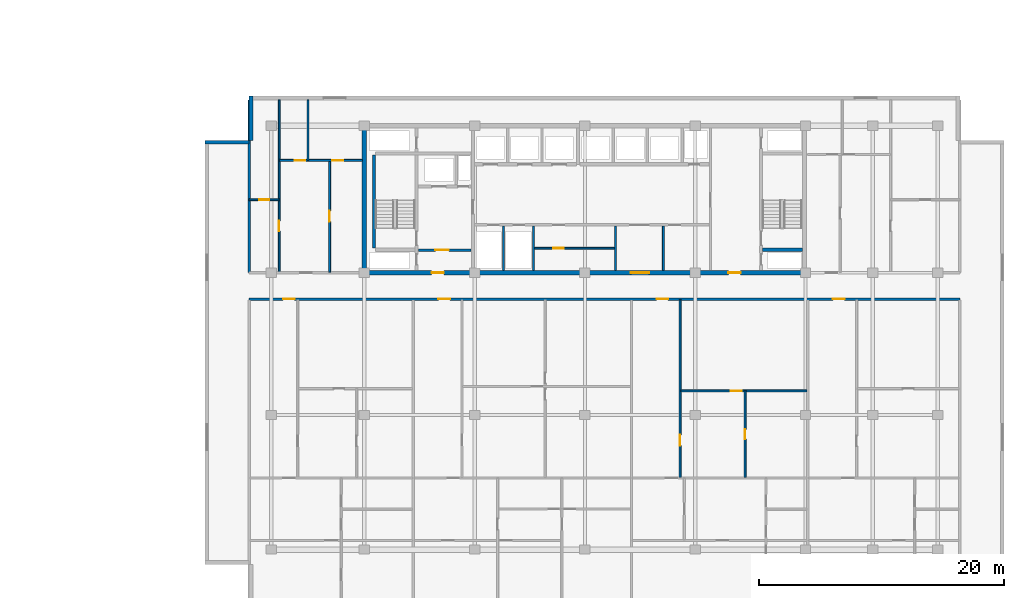
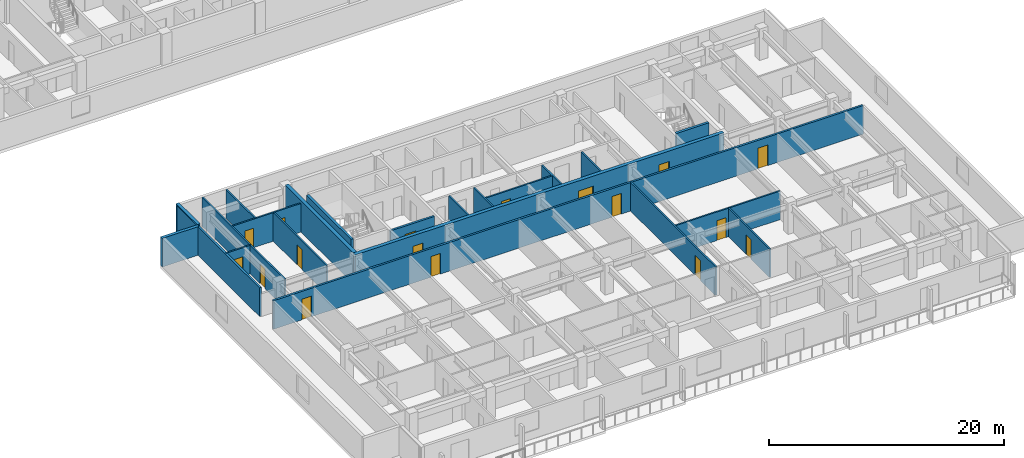
# One storey, part 6 of 22: 22 walls, 17 doors, 17 openings.
"""IFC4 building model written with IfcOpenShell, lengths in metres."""

from ifc_helpers import new_model, si_unit, direction, frame, frame_2d, origin, place, context, subcontext, project, spatial, rectangle, extrude, material, layer, layer_set, type_object, element, fill, save


model = new_model("IFC4")

# Units and contexts
model_context = context("Model", 3, precision=1e-05, world=origin(), true_north=direction((0.0, 1.0)))
body_context = subcontext(model_context, "Body", "Model", "MODEL_VIEW")
ifc_project = project(units=[si_unit("LENGTHUNIT", "METRE"), si_unit("AREAUNIT", "SQUARE_METRE"), si_unit("VOLUMEUNIT", "CUBIC_METRE"), si_unit("PLANEANGLEUNIT", "RADIAN"), si_unit("MASSUNIT", "GRAM", prefix="KILO")], contexts=[model_context])

# Site, building, storey
site_placement = place(None, origin())
site = spatial("IfcSite", under=ifc_project, at=site_placement, CompositionType="ELEMENT")
building_placement = place(site_placement, origin())
building = spatial("IfcBuilding", under=site, at=building_placement, Name="Korimba Cascade Residences", CompositionType="ELEMENT")
storey_placement = place(building_placement, frame((0.0, 0.0, 80.800048828125)))
storey = spatial("IfcBuildingStorey", under=building, at=storey_placement, Name="L22", CompositionType="ELEMENT", Elevation=80.800048828125)

# Walls
ifc_material_1 = material(Name="Precast concrete C40/50", Category="concrete")
ifc_layer_1 = layer(ifc_material_1, 0.300048828125)
ifc_layer_set_1 = layer_set([ifc_layer_1], Name="Precast concrete C40/50")
wall_type_1 = type_object("IfcWallType", Name="EW-STONE-300", PredefinedType="STANDARD", material=ifc_layer_set_1)
wall_1_placement = place(storey_placement, frame((72.85009765625, 32.800048828125, 0.0), z_axis=(0.0, 0.0, 1.0), x_axis=(0.0, -1.0, 0.0)))
element("IfcWall", 1, at=wall_1_placement, inside=storey, type_object=wall_type_1, Name="L22 T2 Perimeter Stone Wall E07", PredefinedType="STANDARD", context=body_context, shape_type="SweptSolid", body=[
    extrude(rectangle(XDim=3.60009765625, YDim=0.300048828125, at=frame_2d((1.800048828125, 0.0))), origin(), (0.0, 0.0, 1.0), 2.969970703125),
])
wall_2_placement = place(storey_placement, frame((72.699951171875, 29.050048828125, 0.0), z_axis=(0.0, 0.0, 1.0), x_axis=(-1.0, 0.0, 0.0)))
element("IfcWall", 2, at=wall_2_placement, inside=storey, type_object=wall_type_1, Name="L22 T2 Perimeter Stone Wall E08", PredefinedType="STANDARD", context=body_context, shape_type="SweptSolid", body=[
    extrude(rectangle(XDim=3.599853515625, YDim=0.300048828125, at=frame_2d((1.7998046875, 0.0))), origin(), (0.0, 0.0, 1.0), 2.969970703125),
])
ifc_material_2 = material(Name="Concrete C65/80", Category="concrete")
ifc_layer_2 = layer(ifc_material_2, 0.35009765625)
ifc_layer_set_2 = layer_set([ifc_layer_2], Name="Concrete C65/80")
wall_type_2 = type_object("IfcWallType", Name="WAL-CORE-350", PredefinedType="SHEAR", material=ifc_layer_set_2)
wall_3_placement = place(storey_placement, frame((82.10009765625, 18.574951171875, 0.0), z_axis=(0.0, 0.0, 1.0), x_axis=(0.0, 1.0, 0.0)))
element("IfcWall", 3, at=wall_3_placement, inside=storey, type_object=wall_type_2, Name="L22 Core Shear Wall CW-L22-T2-W", PredefinedType="SHEAR", context=body_context, shape_type="SweptSolid", body=[
    extrude(rectangle(XDim=11.650146484375, YDim=0.35009765625, at=frame_2d((5.8251953125, 0.0))), origin(), (0.0, 0.0, 1.0), 3.25),
])

# Wall, openings, doors
wall_4_placement = place(storey_placement, frame((81.925048828125, 18.39990234375, 0.0), z_axis=(0.0, 0.0, 1.0), x_axis=(1.0, 0.0, 0.0)))
wall_4 = element("IfcWall", 4, at=wall_4_placement, inside=storey, type_object=wall_type_2, Name="L22 Core Shear Wall CW-L22-T2-S", PredefinedType="SHEAR", context=body_context, shape_type="SweptSolid", body=[
    extrude(rectangle(XDim=36.264892578125, YDim=0.35009765625, at=frame_2d((18.13232421875, 0.0))), origin(), (0.0, 0.0, 1.0), 3.25),
])
opening_1_placement = place(wall_4_placement, frame((5.675048828125, 0.0, 0.0)))
opening_1 = element("IfcOpeningElement", 5, at=opening_1_placement, cuts=wall_4, Name="Opening D-FD5", PredefinedType="OPENING", context=body_context, shape_type="SweptSolid", body=[
    extrude(rectangle(XDim=1.0, YDim=2.14990234375, at=frame_2d((0.5, 1.074951171875))), frame((0.0, 0.18505859375, 0.0), z_axis=(0.0, -1.0, 0.0), x_axis=(1.0, 0.0, 0.0)), (0.0, 0.0, 1.0), 0.3701171875),
])
opening_2_placement = place(wall_4_placement, frame((21.925048828125, 0.0, 0.0)))
opening_2 = element("IfcOpeningElement", 6, at=opening_2_placement, cuts=wall_4, Name="Opening D-FD8", PredefinedType="OPENING", context=body_context, shape_type="SweptSolid", body=[
    extrude(rectangle(XDim=1.5, YDim=2.199951171875, at=frame_2d((0.75, 1.10009765625))), frame((0.0, 0.18505859375, 0.0), z_axis=(0.0, -1.0, 0.0), x_axis=(1.0, 0.0, 0.0)), (0.0, 0.0, 1.0), 0.3701171875),
])
opening_3_placement = place(wall_4_placement, frame((29.875, 0.0, 0.0)))
opening_3 = element("IfcOpeningElement", 7, at=opening_3_placement, cuts=wall_4, Name="Opening D-FD5", PredefinedType="OPENING", context=body_context, shape_type="SweptSolid", body=[
    extrude(rectangle(XDim=1.0, YDim=2.14990234375, at=frame_2d((0.5, 1.074951171875))), frame((0.0, 0.18505859375, 0.0), z_axis=(0.0, -1.0, 0.0), x_axis=(1.0, 0.0, 0.0)), (0.0, 0.0, 1.0), 0.3701171875),
])
ifc_material_3 = material(Name="Fire-Rated Acoustic Timber Vestibule Door", Category="wood")
door_type_1 = type_object("IfcDoorType", Name="DR-FD90-1000", OperationType="NOTDEFINED", PredefinedType="DOOR", material=ifc_material_3)
door_1_placement = place(opening_1_placement, origin())
door_1 = element("IfcDoor", 8, at=door_1_placement, inside=storey, type_object=door_type_1, Name="L22 T2 West Core Vestibule Fire Door", OperationType="SINGLE_SWING_RIGHT", OverallHeight=2.14990234375, OverallWidth=1.0, PredefinedType="DOOR", context=body_context, shape_type="SweptSolid", body=[
    extrude(rectangle(XDim=1.0, YDim=2.14990234375, at=frame_2d((0.5, 1.074951171875))), frame((0.0, 0.02490234375, 0.0), z_axis=(0.0, -1.0, 0.0), x_axis=(1.0, 0.0, 0.0)), (0.0, 0.0, 1.0), 0.050048828125),
])
fill(opening_1, door_1)
door_2_placement = place(opening_3_placement, origin())
door_2 = element("IfcDoor", 9, at=door_2_placement, inside=storey, type_object=door_type_1, Name="L22 T2 East Stair Vestibule Fire Door", OperationType="SINGLE_SWING_LEFT", OverallHeight=2.14990234375, OverallWidth=1.0, PredefinedType="DOOR", context=body_context, shape_type="SweptSolid", body=[
    extrude(rectangle(XDim=1.0, YDim=2.14990234375, at=frame_2d((0.5, 1.074951171875))), frame((0.0, 0.02490234375, 0.0), z_axis=(0.0, -1.0, 0.0), x_axis=(1.0, 0.0, 0.0)), (0.0, 0.0, 1.0), 0.050048828125),
])
fill(opening_3, door_2)
ifc_material_4 = material(Name="Fire-Rated Glazed Lift Lobby Double Door", Category="glass")
door_type_2 = type_object("IfcDoorType", Name="DR-FD90-1500", OperationType="NOTDEFINED", PredefinedType="DOOR", material=ifc_material_4)
door_3_placement = place(opening_2_placement, origin())
door_3 = element("IfcDoor", 10, at=door_3_placement, inside=storey, type_object=door_type_2, Name="L22 T2 Lift Lobby Fire Door", OperationType="DOUBLE_DOOR_SINGLE_SWING", OverallHeight=2.199951171875, OverallWidth=1.5, PredefinedType="DOOR", context=body_context, shape_type="SweptSolid", body=[
    extrude(rectangle(XDim=1.5, YDim=2.199951171875, at=frame_2d((0.75, 1.10009765625))), frame((0.0, 0.02490234375, 0.0), z_axis=(0.0, -1.0, 0.0), x_axis=(1.0, 0.0, 0.0)), (0.0, 0.0, 1.0), 0.050048828125),
])
fill(opening_2, door_3)

# Wall
ifc_layer_3 = layer(ifc_material_1, 0.199951171875)
ifc_layer_set_3 = layer_set([ifc_layer_3], Name="Precast concrete C40/50")
wall_type_3 = type_object("IfcWallType", Name="WAL-IT-200", PredefinedType="PARTITIONING", material=ifc_layer_set_3)
wall_5_placement = place(storey_placement, frame((72.699951171875, 18.39990234375, 0.0), z_axis=(0.0, 0.0, 1.0), x_axis=(0.0, 1.0, 0.0)))
element("IfcWall", 11, at=wall_5_placement, inside=storey, type_object=wall_type_3, Name="L22 Partition Wall WAL-L22-T2-FW-WL", PredefinedType="PARTITIONING", context=body_context, shape_type="SweptSolid", body=[
    extrude(rectangle(XDim=14.10009765625, YDim=0.199951171875, at=frame_2d((7.050048828125, 0.0))), origin(), (0.0, 0.0, 1.0), 2.969970703125),
])

# Wall, openings, doors
wall_6_placement = place(storey_placement, frame((72.699951171875, 16.25, 0.0), z_axis=(0.0, 0.0, 1.0), x_axis=(1.0, 0.0, 0.0)))
wall_6 = element("IfcWall", 12, at=wall_6_placement, inside=storey, type_object=wall_type_3, Name="L22 Partition Wall WAL-L22-T2-CORS", PredefinedType="PARTITIONING", context=body_context, shape_type="SweptSolid", body=[
    extrude(rectangle(XDim=58.0, YDim=0.199951171875, at=frame_2d((29.0, 0.0))), origin(), (0.0, 0.0, 1.0), 2.969970703125),
])
opening_4_placement = place(wall_6_placement, frame((2.77001953125, 0.0, 0.0)))
opening_4 = element("IfcOpeningElement", 13, at=opening_4_placement, cuts=wall_6, Name="Opening D-UN1", PredefinedType="OPENING", context=body_context, shape_type="SweptSolid", body=[
    extrude(rectangle(XDim=0.949951171875, YDim=2.14990234375, at=frame_2d((0.47509765625, 1.074951171875))), frame((0.0, 0.10986328125, 0.0), z_axis=(0.0, -1.0, 0.0), x_axis=(1.0, 0.0, 0.0)), (0.0, 0.0, 1.0), 0.219970703125),
])
opening_5_placement = place(wall_6_placement, frame((15.445068359375, 0.0, 0.0)))
opening_5 = element("IfcOpeningElement", 14, at=opening_5_placement, cuts=wall_6, Name="Opening D-UN1", PredefinedType="OPENING", context=body_context, shape_type="SweptSolid", body=[
    extrude(rectangle(XDim=0.949951171875, YDim=2.14990234375, at=frame_2d((0.47509765625, 1.074951171875))), frame((0.0, 0.10986328125, 0.0), z_axis=(0.0, -1.0, 0.0), x_axis=(1.0, 0.0, 0.0)), (0.0, 0.0, 1.0), 0.219970703125),
])
opening_6_placement = place(wall_6_placement, frame((33.2451171875, 0.0, 0.0)))
opening_6 = element("IfcOpeningElement", 15, at=opening_6_placement, cuts=wall_6, Name="Opening D-UN1", PredefinedType="OPENING", context=body_context, shape_type="SweptSolid", body=[
    extrude(rectangle(XDim=0.949951171875, YDim=2.14990234375, at=frame_2d((0.47509765625, 1.074951171875))), frame((0.0, 0.10986328125, 0.0), z_axis=(0.0, -1.0, 0.0), x_axis=(1.0, 0.0, 0.0)), (0.0, 0.0, 1.0), 0.219970703125),
])
opening_7_placement = place(wall_6_placement, frame((47.64501953125, 0.0, 0.0)))
opening_7 = element("IfcOpeningElement", 16, at=opening_7_placement, cuts=wall_6, Name="Opening D-UN1", PredefinedType="OPENING", context=body_context, shape_type="SweptSolid", body=[
    extrude(rectangle(XDim=0.949951171875, YDim=2.14990234375, at=frame_2d((0.47509765625, 1.074951171875))), frame((0.0, 0.10986328125, 0.0), z_axis=(0.0, -1.0, 0.0), x_axis=(1.0, 0.0, 0.0)), (0.0, 0.0, 1.0), 0.219970703125),
])
ifc_material_5 = material(Name="Fire-Rated Hardwood Apartment Entrance Door", Category="wood")
door_type_3 = type_object("IfcDoorType", Name="DR-FD60-950", OperationType="NOTDEFINED", PredefinedType="DOOR", material=ifc_material_5)
door_4_placement = place(opening_4_placement, origin())
door_4 = element("IfcDoor", 17, at=door_4_placement, inside=storey, type_object=door_type_3, Name="Unit L22-T2-U01 Entrance Door", OperationType="SINGLE_SWING_LEFT", OverallHeight=2.14990234375, OverallWidth=0.949951171875, PredefinedType="DOOR", context=body_context, shape_type="SweptSolid", body=[
    extrude(rectangle(XDim=0.949951171875, YDim=2.14990234375, at=frame_2d((0.47509765625, 1.074951171875))), frame((0.0, 0.02490234375, 0.0), z_axis=(0.0, -1.0, 0.0), x_axis=(1.0, 0.0, 0.0)), (0.0, 0.0, 1.0), 0.050048828125),
])
fill(opening_4, door_4)
door_5_placement = place(opening_5_placement, origin())
door_5 = element("IfcDoor", 18, at=door_5_placement, inside=storey, type_object=door_type_3, Name="Unit L22-T2-U02 Entrance Door", OperationType="SINGLE_SWING_RIGHT", OverallHeight=2.14990234375, OverallWidth=0.949951171875, PredefinedType="DOOR", context=body_context, shape_type="SweptSolid", body=[
    extrude(rectangle(XDim=0.949951171875, YDim=2.14990234375, at=frame_2d((0.47509765625, 1.074951171875))), frame((0.0, 0.02490234375, 0.0), z_axis=(0.0, -1.0, 0.0), x_axis=(1.0, 0.0, 0.0)), (0.0, 0.0, 1.0), 0.050048828125),
])
fill(opening_5, door_5)
door_6_placement = place(opening_6_placement, origin())
door_6 = element("IfcDoor", 19, at=door_6_placement, inside=storey, type_object=door_type_3, Name="Unit L22-T2-U03 Entrance Door", OperationType="SINGLE_SWING_LEFT", OverallHeight=2.14990234375, OverallWidth=0.949951171875, PredefinedType="DOOR", context=body_context, shape_type="SweptSolid", body=[
    extrude(rectangle(XDim=0.949951171875, YDim=2.14990234375, at=frame_2d((0.47509765625, 1.074951171875))), frame((0.0, 0.02490234375, 0.0), z_axis=(0.0, -1.0, 0.0), x_axis=(1.0, 0.0, 0.0)), (0.0, 0.0, 1.0), 0.050048828125),
])
fill(opening_6, door_6)
door_7_placement = place(opening_7_placement, origin())
door_7 = element("IfcDoor", 20, at=door_7_placement, inside=storey, type_object=door_type_3, Name="Unit L22-T2-U04 Entrance Door", OperationType="SINGLE_SWING_RIGHT", OverallHeight=2.14990234375, OverallWidth=0.949951171875, PredefinedType="DOOR", context=body_context, shape_type="SweptSolid", body=[
    extrude(rectangle(XDim=0.949951171875, YDim=2.14990234375, at=frame_2d((0.47509765625, 1.074951171875))), frame((0.0, 0.02490234375, 0.0), z_axis=(0.0, -1.0, 0.0), x_axis=(1.0, 0.0, 0.0)), (0.0, 0.0, 1.0), 0.050048828125),
])
fill(opening_7, door_7)

# Walls
ifc_material_6 = material(Name="Insulated Acoustic Stud Partition", Category="gypsum")
ifc_layer_4 = layer(ifc_material_6, 0.14990234375)
ifc_layer_set_4 = layer_set([ifc_layer_4], Name="Insulated Acoustic Stud Partition")
wall_type_4 = type_object("IfcWallType", Name="WAL-PART-150", PredefinedType="PARTITIONING", material=ifc_layer_set_4)
for number, where, z_axis, x_axis, name in (
    (21, (93.449951171875, 18.60009765625, 0.0), (0.0, 0.0, 1.0), (0.0, 1.0, 0.0), "L22 Partition Wall CW-L22-T2-ERDIV"),
    (22, (95.89990234375, 18.60009765625, 0.0), (0.0, 0.0, 1.0), (0.0, 1.0, 0.0), "L22 Partition Wall CW-L22-T2-PRDIV"),
):
    element("IfcWall", number, at=place(storey_placement, frame(where, z_axis=z_axis, x_axis=x_axis)), inside=storey, type_object=wall_type_4, Name=name, PredefinedType="PARTITIONING", context=body_context, shape_type="SweptSolid", body=[
        extrude(rectangle(XDim=3.599853515625, YDim=0.14990234375, at=frame_2d((1.7998046875, 0.0))), origin(), (0.0, 0.0, 1.0), 2.969970703125),
    ])

# Wall, opening, door
wall_7_placement = place(storey_placement, frame((95.89990234375, 20.39990234375, 0.0), z_axis=(0.0, 0.0, 1.0), x_axis=(1.0, 0.0, 0.0)))
wall_7 = element("IfcWall", 23, at=wall_7_placement, inside=storey, type_object=wall_type_4, Name="L22 Partition Wall CW-L22-T2-CA2HZ", PredefinedType="PARTITIONING", context=body_context, shape_type="SweptSolid", body=[
    extrude(rectangle(XDim=6.7001953125, YDim=0.14990234375, at=frame_2d((3.35009765625, 0.0))), origin(), (0.0, 0.0, 1.0), 2.969970703125),
])
opening_8_placement = place(wall_7_placement, frame((1.60009765625, 0.0, 0.0)))
opening_8 = element("IfcOpeningElement", 24, at=opening_8_placement, cuts=wall_7, Name="Opening D-IN2", PredefinedType="OPENING", context=body_context, shape_type="SweptSolid", body=[
    extrude(rectangle(XDim=0.8798828125, YDim=2.06005859375, at=frame_2d((0.43994140625, 1.030029296875))), frame((0.0, 0.0849609375, 0.0), z_axis=(0.0, -1.0, 0.0), x_axis=(1.0, 0.0, 0.0)), (0.0, 0.0, 1.0), 0.169921875),
])
ifc_material_7 = material(Name="Acoustic Timber Bedroom Door", Category="wood")
door_type_4 = type_object("IfcDoorType", Name="DR-INT-880", OperationType="NOTDEFINED", PredefinedType="DOOR", material=ifc_material_7)
door_8_placement = place(opening_8_placement, origin())
door_8 = element("IfcDoor", 25, at=door_8_placement, inside=storey, type_object=door_type_4, Name="L22 T2 Pram Store Door", OperationType="SINGLE_SWING_LEFT", OverallHeight=2.06005859375, OverallWidth=0.8798828125, PredefinedType="DOOR", context=body_context, shape_type="SweptSolid", body=[
    extrude(rectangle(XDim=0.8798828125, YDim=2.06005859375, at=frame_2d((0.43994140625, 1.030029296875))), frame((0.0, 0.02490234375, 0.0), z_axis=(0.0, -1.0, 0.0), x_axis=(1.0, 0.0, 0.0)), (0.0, 0.0, 1.0), 0.050048828125),
])
fill(opening_8, door_8)

# Walls
for number, where, z_axis, x_axis, name in (
    (26, (102.60009765625, 18.60009765625, 0.0), (0.0, 0.0, 1.0), (0.0, 1.0, 0.0), "L22 Partition Wall CW-L22-T2-THW"),
    (27, (106.5, 18.60009765625, 0.0), (0.0, 0.0, 1.0), (0.0, 1.0, 0.0), "L22 Partition Wall CW-L22-T2-THE"),
):
    element("IfcWall", number, at=place(storey_placement, frame(where, z_axis=z_axis, x_axis=x_axis)), inside=storey, type_object=wall_type_4, Name=name, PredefinedType="PARTITIONING", context=body_context, shape_type="SweptSolid", body=[
        extrude(rectangle(XDim=3.599853515625, YDim=0.14990234375, at=frame_2d((1.7998046875, 0.0))), origin(), (0.0, 0.0, 1.0), 2.969970703125),
    ])

# Wall, opening, door
wall_8_placement = place(storey_placement, frame((72.699951171875, 24.35009765625, 0.0), z_axis=(0.0, 0.0, 1.0), x_axis=(1.0, 0.0, 0.0)))
wall_8 = element("IfcWall", 28, at=wall_8_placement, inside=storey, type_object=wall_type_4, Name="L22 Partition Wall WAL-L22-T2-FW-STH", PredefinedType="PARTITIONING", context=body_context, shape_type="SweptSolid", body=[
    extrude(rectangle(XDim=2.449951171875, YDim=0.14990234375, at=frame_2d((1.22509765625, 0.0))), origin(), (0.0, 0.0, 1.0), 2.969970703125),
])
opening_9_placement = place(wall_8_placement, frame((0.804931640625, 0.0, 0.0)))
opening_9 = element("IfcOpeningElement", 29, at=opening_9_placement, cuts=wall_8, Name="Opening D-BT1", PredefinedType="OPENING", context=body_context, shape_type="SweptSolid", body=[
    extrude(rectangle(XDim=0.840087890625, YDim=2.0400390625, at=frame_2d((0.419921875, 1.02001953125))), frame((0.0, 0.0849609375, 0.0), z_axis=(0.0, -1.0, 0.0), x_axis=(1.0, 0.0, 0.0)), (0.0, 0.0, 1.0), 0.169921875),
])
ifc_material_8 = material(Name="Moisture-Resistant Bathroom Timber Door", Category="wood")
door_type_5 = type_object("IfcDoorType", Name="DR-INT-850", OperationType="NOTDEFINED", PredefinedType="DOOR", material=ifc_material_8)
door_9_placement = place(opening_9_placement, origin())
door_9 = element("IfcDoor", 30, at=door_9_placement, inside=storey, type_object=door_type_5, Name="L22-T2-FW Dressing Store Door", OperationType="SINGLE_SWING_RIGHT", OverallHeight=2.0400390625, OverallWidth=0.840087890625, PredefinedType="DOOR", context=body_context, shape_type="SweptSolid", body=[
    extrude(rectangle(XDim=0.840087890625, YDim=2.0400390625, at=frame_2d((0.419921875, 1.02001953125))), frame((0.0, 0.02490234375, 0.0), z_axis=(0.0, -1.0, 0.0), x_axis=(1.0, 0.0, 0.0)), (0.0, 0.0, 1.0), 0.050048828125),
])
fill(opening_9, door_9)

wall_9_placement = place(storey_placement, frame((75.14990234375, 18.449951171875, 0.0), z_axis=(0.0, 0.0, 1.0), x_axis=(0.0, 1.0, 0.0)))
wall_9 = element("IfcWall", 31, at=wall_9_placement, inside=storey, type_object=wall_type_4, Name="L22 Partition Wall WAL-L22-T2-FW-STV", PredefinedType="PARTITIONING", context=body_context, shape_type="SweptSolid", body=[
    extrude(rectangle(XDim=14.050048828125, YDim=0.14990234375, at=frame_2d((7.02490234375, 0.0))), origin(), (0.0, 0.0, 1.0), 2.969970703125),
])
opening_10_placement = place(wall_9_placement, frame((3.320068359375, 0.0, 0.0)))
opening_10 = element("IfcOpeningElement", 32, at=opening_10_placement, cuts=wall_9, Name="Opening D-IN2", PredefinedType="OPENING", context=body_context, shape_type="SweptSolid", body=[
    extrude(rectangle(XDim=0.8798828125, YDim=2.06005859375, at=frame_2d((0.43994140625, 1.030029296875))), frame((0.0, 0.0849609375, 0.0), z_axis=(0.0, -1.0, 0.0), x_axis=(1.0, 0.0, 0.0)), (0.0, 0.0, 1.0), 0.169921875),
])
door_10_placement = place(opening_10_placement, origin())
door_10 = element("IfcDoor", 33, at=door_10_placement, inside=storey, type_object=door_type_4, Name="L22-T2-FW Study Door", OperationType="SINGLE_SWING_LEFT", OverallHeight=2.06005859375, OverallWidth=0.8798828125, PredefinedType="DOOR", context=body_context, shape_type="SweptSolid", body=[
    extrude(rectangle(XDim=0.8798828125, YDim=2.06005859375, at=frame_2d((0.43994140625, 1.030029296875))), frame((0.0, 0.02490234375, 0.0), z_axis=(0.0, -1.0, 0.0), x_axis=(1.0, 0.0, 0.0)), (0.0, 0.0, 1.0), 0.050048828125),
])
fill(opening_10, door_10)

wall_10_placement = place(storey_placement, frame((79.27001953125, 18.449951171875, 0.0), z_axis=(0.0, 0.0, 1.0), x_axis=(0.0, 1.0, 0.0)))
wall_10 = element("IfcWall", 34, at=wall_10_placement, inside=storey, type_object=wall_type_4, Name="L22 Partition Wall WAL-L22-T2-FW-VS", PredefinedType="PARTITIONING", context=body_context, shape_type="SweptSolid", body=[
    extrude(rectangle(XDim=9.1201171875, YDim=0.14990234375, at=frame_2d((4.56005859375, 0.0))), origin(), (0.0, 0.0, 1.0), 2.969970703125),
])
opening_11_placement = place(wall_10_placement, frame((4.10009765625, 0.0, 0.0)))
opening_11 = element("IfcOpeningElement", 35, at=opening_11_placement, cuts=wall_10, Name="Opening D-IN1", PredefinedType="OPENING", context=body_context, shape_type="SweptSolid", body=[
    extrude(rectangle(XDim=0.919921875, YDim=2.080078125, at=frame_2d((0.4599609375, 1.0400390625))), frame((0.0, 0.0849609375, 0.0), z_axis=(0.0, -1.0, 0.0), x_axis=(1.0, 0.0, 0.0)), (0.0, 0.0, 1.0), 0.169921875),
])
ifc_material_9 = material(Name="Acoustic Timber Living Door", Category="wood")
door_type_6 = type_object("IfcDoorType", Name="DR-INT-920", OperationType="NOTDEFINED", PredefinedType="DOOR", material=ifc_material_9)
door_11_placement = place(opening_11_placement, origin())
door_11 = element("IfcDoor", 36, at=door_11_placement, inside=storey, type_object=door_type_6, Name="L22-T2-FW Living Door", OperationType="SINGLE_SWING_RIGHT", OverallHeight=2.080078125, OverallWidth=0.919921875, PredefinedType="DOOR", context=body_context, shape_type="SweptSolid", body=[
    extrude(rectangle(XDim=0.919921875, YDim=2.080078125, at=frame_2d((0.4599609375, 1.0400390625))), frame((0.0, 0.02490234375, 0.0), z_axis=(0.0, -1.0, 0.0), x_axis=(1.0, 0.0, 0.0)), (0.0, 0.0, 1.0), 0.050048828125),
])
fill(opening_11, door_11)

# Wall
wall_11_placement = place(storey_placement, frame((77.5, 27.570068359375, 0.0), z_axis=(0.0, 0.0, 1.0), x_axis=(0.0, 1.0, 0.0)))
element("IfcWall", 37, at=wall_11_placement, inside=storey, type_object=wall_type_4, Name="L22 Partition Wall WAL-L22-T2-FW-VN", PredefinedType="PARTITIONING", context=body_context, shape_type="SweptSolid", body=[
    extrude(rectangle(XDim=4.929931640625, YDim=0.14990234375, at=frame_2d((2.46484375, 0.0))), origin(), (0.0, 0.0, 1.0), 2.969970703125),
])

# Wall, openings, doors
wall_12_placement = place(storey_placement, frame((75.169921875, 27.570068359375, 0.0), z_axis=(0.0, 0.0, 1.0), x_axis=(1.0, 0.0, 0.0)))
wall_12 = element("IfcWall", 38, at=wall_12_placement, inside=storey, type_object=wall_type_4, Name="L22 Partition Wall WAL-L22-T2-FW-H", PredefinedType="PARTITIONING", context=body_context, shape_type="SweptSolid", body=[
    extrude(rectangle(XDim=6.760009765625, YDim=0.14990234375, at=frame_2d((3.3798828125, 0.0))), origin(), (0.0, 0.0, 1.0), 2.969970703125),
])
opening_12_placement = place(wall_12_placement, frame((1.266357421875, 0.0, 0.0)))
opening_12 = element("IfcOpeningElement", 39, at=opening_12_placement, cuts=wall_12, Name="Opening D-BT1", PredefinedType="OPENING", context=body_context, shape_type="SweptSolid", body=[
    extrude(rectangle(XDim=0.840087890625, YDim=2.0400390625, at=frame_2d((0.419921875, 1.02001953125))), frame((0.0, 0.0849609375, 0.0), z_axis=(0.0, -1.0, 0.0), x_axis=(1.0, 0.0, 0.0)), (0.0, 0.0, 1.0), 0.169921875),
])
opening_13_placement = place(wall_12_placement, frame((4.320068359375, 0.0, 0.0)))
opening_13 = element("IfcOpeningElement", 40, at=opening_13_placement, cuts=wall_12, Name="Opening D-IN2", PredefinedType="OPENING", context=body_context, shape_type="SweptSolid", body=[
    extrude(rectangle(XDim=0.8798828125, YDim=2.06005859375, at=frame_2d((0.43994140625, 1.030029296875))), frame((0.0, 0.0849609375, 0.0), z_axis=(0.0, -1.0, 0.0), x_axis=(1.0, 0.0, 0.0)), (0.0, 0.0, 1.0), 0.169921875),
])
door_12_placement = place(opening_12_placement, origin())
door_12 = element("IfcDoor", 41, at=door_12_placement, inside=storey, type_object=door_type_5, Name="L22-T2-FW Bathroom Door", OperationType="SINGLE_SWING_LEFT", OverallHeight=2.0400390625, OverallWidth=0.840087890625, PredefinedType="DOOR", context=body_context, shape_type="SweptSolid", body=[
    extrude(rectangle(XDim=0.840087890625, YDim=2.0400390625, at=frame_2d((0.419921875, 1.02001953125))), frame((0.0, 0.02490234375, 0.0), z_axis=(0.0, -1.0, 0.0), x_axis=(1.0, 0.0, 0.0)), (0.0, 0.0, 1.0), 0.050048828125),
])
fill(opening_12, door_12)
door_13_placement = place(opening_13_placement, origin())
door_13 = element("IfcDoor", 42, at=door_13_placement, inside=storey, type_object=door_type_4, Name="L22-T2-FW Bedroom Door", OperationType="SINGLE_SWING_RIGHT", OverallHeight=2.06005859375, OverallWidth=0.8798828125, PredefinedType="DOOR", context=body_context, shape_type="SweptSolid", body=[
    extrude(rectangle(XDim=0.8798828125, YDim=2.06005859375, at=frame_2d((0.43994140625, 1.030029296875))), frame((0.0, 0.02490234375, 0.0), z_axis=(0.0, -1.0, 0.0), x_axis=(1.0, 0.0, 0.0)), (0.0, 0.0, 1.0), 0.050048828125),
])
fill(opening_13, door_13)

# Wall, opening, door
wall_13_placement = place(storey_placement, frame((113.175048828125, 1.68994140625, 0.0), z_axis=(0.0, 0.0, 1.0), x_axis=(0.0, 1.0, 0.0)))
wall_13 = element("IfcWall", 43, at=wall_13_placement, inside=storey, type_object=wall_type_4, Name="L22 Partition Wall WAL-L22-T2-U03-FMV", PredefinedType="PARTITIONING", context=body_context, shape_type="SweptSolid", body=[
    extrude(rectangle(XDim=7.070068359375, YDim=0.14990234375, at=frame_2d((3.53515625, 0.0))), origin(), (0.0, 0.0, 1.0), 2.969970703125),
])
opening_14_placement = place(wall_13_placement, frame((3.114990234375, 0.0, 0.0)))
opening_14 = element("IfcOpeningElement", 44, at=opening_14_placement, cuts=wall_13, Name="Opening D-BT1", PredefinedType="OPENING", context=body_context, shape_type="SweptSolid", body=[
    extrude(rectangle(XDim=0.840087890625, YDim=2.0400390625, at=frame_2d((0.419921875, 1.02001953125))), frame((0.0, 0.0849609375, 0.0), z_axis=(0.0, -1.0, 0.0), x_axis=(1.0, 0.0, 0.0)), (0.0, 0.0, 1.0), 0.169921875),
])
door_14_placement = place(opening_14_placement, origin())
door_14 = element("IfcDoor", 45, at=door_14_placement, inside=storey, type_object=door_type_5, Name="L22-T2-U03 Wardrobe Door", OperationType="SINGLE_SWING_LEFT", OverallHeight=2.0400390625, OverallWidth=0.840087890625, PredefinedType="DOOR", context=body_context, shape_type="SweptSolid", body=[
    extrude(rectangle(XDim=0.840087890625, YDim=2.0400390625, at=frame_2d((0.419921875, 1.02001953125))), frame((0.0, 0.02490234375, 0.0), z_axis=(0.0, -1.0, 0.0), x_axis=(1.0, 0.0, 0.0)), (0.0, 0.0, 1.0), 0.050048828125),
])
fill(opening_14, door_14)

wall_14_placement = place(storey_placement, frame((107.929931640625, 8.760009765625, 0.0), z_axis=(0.0, 0.0, 1.0), x_axis=(1.0, 0.0, 0.0)))
wall_14 = element("IfcWall", 46, at=wall_14_placement, inside=storey, type_object=wall_type_4, Name="L22 Partition Wall WAL-L22-T2-U03-FMH", PredefinedType="PARTITIONING", context=body_context, shape_type="SweptSolid", body=[
    extrude(rectangle(XDim=10.2900390625, YDim=0.14990234375, at=frame_2d((5.14501953125, 0.0))), origin(), (0.0, 0.0, 1.0), 2.969970703125),
])
opening_15_placement = place(wall_14_placement, frame((4.069091796875, 0.0, 0.0)))
opening_15 = element("IfcOpeningElement", 47, at=opening_15_placement, cuts=wall_14, Name="Opening D-IN2", PredefinedType="OPENING", context=body_context, shape_type="SweptSolid", body=[
    extrude(rectangle(XDim=0.8798828125, YDim=2.06005859375, at=frame_2d((0.43994140625, 1.030029296875))), frame((0.0, 0.0849609375, 0.0), z_axis=(0.0, -1.0, 0.0), x_axis=(1.0, 0.0, 0.0)), (0.0, 0.0, 1.0), 0.169921875),
])
door_15_placement = place(opening_15_placement, origin())
door_15 = element("IfcDoor", 48, at=door_15_placement, inside=storey, type_object=door_type_4, Name="L22-T2-U03 Library Salon Door", OperationType="SINGLE_SWING_RIGHT", OverallHeight=2.06005859375, OverallWidth=0.8798828125, PredefinedType="DOOR", context=body_context, shape_type="SweptSolid", body=[
    extrude(rectangle(XDim=0.8798828125, YDim=2.06005859375, at=frame_2d((0.43994140625, 1.030029296875))), frame((0.0, 0.02490234375, 0.0), z_axis=(0.0, -1.0, 0.0), x_axis=(1.0, 0.0, 0.0)), (0.0, 0.0, 1.0), 0.050048828125),
])
fill(opening_15, door_15)

wall_15_placement = place(storey_placement, frame((107.8701171875, 1.68994140625, 0.0), z_axis=(0.0, 0.0, 1.0), x_axis=(0.0, 1.0, 0.0)))
wall_15 = element("IfcWall", 49, at=wall_15_placement, inside=storey, type_object=wall_type_4, Name="L22 Partition Wall WAL-L22-T2-U03-FV", PredefinedType="PARTITIONING", context=body_context, shape_type="SweptSolid", body=[
    extrude(rectangle(XDim=14.5, YDim=0.14990234375, at=frame_2d((7.25, 0.0))), origin(), (0.0, 0.0, 1.0), 2.969970703125),
])
opening_16_placement = place(wall_15_placement, frame((2.5859375, 0.0, 0.0)))
opening_16 = element("IfcOpeningElement", 50, at=opening_16_placement, cuts=wall_15, Name="Opening D-IN2", PredefinedType="OPENING", context=body_context, shape_type="SweptSolid", body=[
    extrude(rectangle(XDim=0.8798828125, YDim=2.06005859375, at=frame_2d((0.43994140625, 1.030029296875))), frame((0.0, 0.0849609375, 0.0), z_axis=(0.0, -1.0, 0.0), x_axis=(1.0, 0.0, 0.0)), (0.0, 0.0, 1.0), 0.169921875),
])
door_16_placement = place(opening_16_placement, origin())
door_16 = element("IfcDoor", 51, at=door_16_placement, inside=storey, type_object=door_type_4, Name="L22-T2-U03 Media Lounge Door", OperationType="SINGLE_SWING_LEFT", OverallHeight=2.06005859375, OverallWidth=0.8798828125, PredefinedType="DOOR", context=body_context, shape_type="SweptSolid", body=[
    extrude(rectangle(XDim=0.8798828125, YDim=2.06005859375, at=frame_2d((0.43994140625, 1.030029296875))), frame((0.0, 0.02490234375, 0.0), z_axis=(0.0, -1.0, 0.0), x_axis=(1.0, 0.0, 0.0)), (0.0, 0.0, 1.0), 0.050048828125),
])
fill(opening_16, door_16)

ifc_material_10 = material(Name="Concrete C40/50", Category="concrete")
ifc_layer_5 = layer(ifc_material_10, 0.199951171875)
ifc_layer_set_5 = layer_set([ifc_layer_5], Name="Concrete C40/50")
wall_type_5 = type_object("IfcWallType", Name="WAL-PART-200", PredefinedType="PARTITIONING", material=ifc_layer_set_5)
wall_16_placement = place(storey_placement, frame((86.5, 20.25, 0.0), z_axis=(0.0, 0.0, 1.0), x_axis=(1.0, 0.0, 0.0)))
wall_16 = element("IfcWall", 52, at=wall_16_placement, inside=storey, type_object=wall_type_5, Name="L22 Partition Wall CW-L22-T2-FFLS", PredefinedType="PARTITIONING", context=body_context, shape_type="SweptSolid", body=[
    extrude(rectangle(XDim=4.320068359375, YDim=0.199951171875, at=frame_2d((2.16015625, 0.0))), origin(), (0.0, 0.0, 1.0), 2.969970703125),
])
opening_17_placement = place(wall_16_placement, frame((1.39990234375, 0.0, 0.0)))
opening_17 = element("IfcOpeningElement", 53, at=opening_17_placement, cuts=wall_16, Name="Opening D-FD1", PredefinedType="OPENING", context=body_context, shape_type="SweptSolid", body=[
    extrude(rectangle(XDim=1.10009765625, YDim=2.10009765625, at=frame_2d((0.550048828125, 1.050048828125))), frame((0.0, 0.10986328125, 0.0), z_axis=(0.0, -1.0, 0.0), x_axis=(1.0, 0.0, 0.0)), (0.0, 0.0, 1.0), 0.219970703125),
])
ifc_material_11 = material(Name="Fire-Rated Steel Core Door", Category="steel")
door_type_7 = type_object("IfcDoorType", Name="DR-FD120-1100", OperationType="NOTDEFINED", PredefinedType="DOOR", material=ifc_material_11)
door_17_placement = place(opening_17_placement, origin())
door_17 = element("IfcDoor", 54, at=door_17_placement, inside=storey, type_object=door_type_7, Name="L22 T2 Firefighting Lobby Door", OperationType="SINGLE_SWING_RIGHT", OverallHeight=2.10009765625, OverallWidth=1.10009765625, PredefinedType="DOOR", context=body_context, shape_type="SweptSolid", body=[
    extrude(rectangle(XDim=1.10009765625, YDim=2.10009765625, at=frame_2d((0.550048828125, 1.050048828125))), frame((0.0, 0.02490234375, 0.0), z_axis=(0.0, -1.0, 0.0), x_axis=(1.0, 0.0, 0.0)), (0.0, 0.0, 1.0), 0.050048828125),
])
fill(opening_17, door_17)

# Walls
ifc_material_12 = material(Name="Concrete C50/60", Category="concrete")
ifc_layer_6 = layer(ifc_material_12, 0.25)
ifc_layer_set_6 = layer_set([ifc_layer_6], Name="Concrete C50/60")
wall_type_6 = type_object("IfcWallType", Name="WAL-SHAFT-250", PredefinedType="SHEAR", material=ifc_layer_set_6)
wall_17_placement = place(storey_placement, frame((82.875, 20.39990234375, 0.0), z_axis=(0.0, 0.0, 1.0), x_axis=(0.0, 1.0, 0.0)))
element("IfcWall", 55, at=wall_17_placement, inside=storey, type_object=wall_type_6, Name="L22 Core Shear Wall CW-L22-T2-STE1W", PredefinedType="SHEAR", context=body_context, shape_type="SweptSolid", body=[
    extrude(rectangle(XDim=7.60009765625, YDim=0.25, at=frame_2d((3.800048828125, 0.0))), origin(), (0.0, 0.0, 1.0), 3.25),
])
wall_18_placement = place(storey_placement, frame((114.60009765625, 20.27490234375, 0.0), z_axis=(0.0, 0.0, 1.0), x_axis=(1.0, 0.0, 0.0)))
element("IfcWall", 56, at=wall_18_placement, inside=storey, type_object=wall_type_6, Name="L22 Core Shear Wall CW-L22-T2-STE2S", PredefinedType="SHEAR", context=body_context, shape_type="SweptSolid", body=[
    extrude(rectangle(XDim=3.239990234375, YDim=0.25, at=frame_2d((1.6201171875, 0.0))), origin(), (0.0, 0.0, 1.0), 3.25),
])

save(model, "model.ifc")
